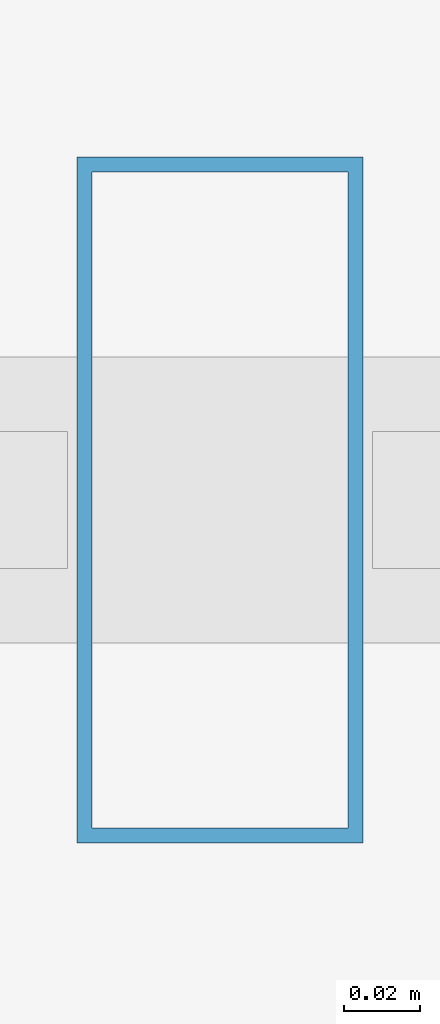
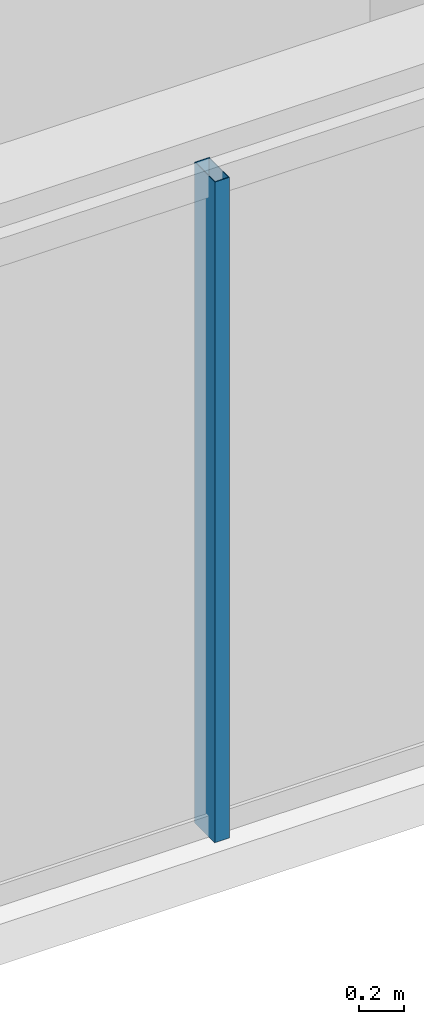
# One storey, part 4 of 33: 1 member, 1 element without a shape of its own.
"""IFC4 building model written with IfcOpenShell, lengths in metres."""

from ifc_helpers import new_model, si_unit, direction, frame, origin, origin_2d, place, context, subcontext, project, spatial, hollow_rectangle, extrude, material, layer, layer_set, material_profile, profile_set, type_object, element, aggregate, save


model = new_model("IFC4")

# Units and contexts
model_context = context("Model", 3, precision=1e-05, world=origin(), true_north=direction((0.0, 1.0)))
body_context = subcontext(model_context, "Body", "Model", "MODEL_VIEW")
ifc_project = project(units=[si_unit("LENGTHUNIT", "METRE"), si_unit("AREAUNIT", "SQUARE_METRE"), si_unit("VOLUMEUNIT", "CUBIC_METRE"), si_unit("PLANEANGLEUNIT", "RADIAN"), si_unit("MASSUNIT", "GRAM", prefix="KILO")], contexts=[model_context])

# Site, building, storey
site_placement = place(None, origin())
site = spatial("IfcSite", under=ifc_project, at=site_placement, CompositionType="ELEMENT")
building_placement = place(site_placement, origin())
building = spatial("IfcBuilding", under=site, at=building_placement, Name="Ndaravel Arena Tower", CompositionType="ELEMENT")
storey_placement = place(building_placement, frame((0.0, 0.0, 165.0)))
storey = spatial("IfcBuildingStorey", under=building, at=storey_placement, Name="L39", CompositionType="ELEMENT", Elevation=165.0)

# Curtain wall, member
ifc_material_1 = material(Name="Aluminium", Category="aluminium")
ifc_layer = layer(ifc_material_1, 0.179931640625)
ifc_layer_set = layer_set([ifc_layer], Name="Aluminium")
curtain_wall_type = type_object("IfcCurtainWallType", Name="CW-SYS-03", PredefinedType="NOTDEFINED", material=ifc_layer_set)
curtain_wall_placement = place(storey_placement, origin())
curtain_wall = element("IfcCurtainWall", 1, at=curtain_wall_placement, inside=storey, type_object=curtain_wall_type, Name="L39 Faceted Crystal Curtain Wall CW-L39-E01", PredefinedType="NOTDEFINED")
ifc_material_2 = material(Name="Aluminium", Category="aluminium")
ifc_material_profile = material_profile(ifc_material_2, hollow_rectangle(XDim=0.074951171875, YDim=0.179931640625, WallThickness=0.00390625, at=origin_2d()), Name="CW MULLION 75x180x4")
ifc_profile_set = profile_set([ifc_material_profile], Name="Aluminium")
member_type = type_object("IfcMemberType", Name="MEM-CW-MUL180", PredefinedType="MULLION", material=ifc_profile_set)
member_placement = place(storey_placement, frame((32.8046875, 5.159912109375, 0.0), z_axis=(0.0, 0.0, 1.0), x_axis=(1.0, 0.0, 0.0)))
member = element("IfcMember", 2, at=member_placement, type_object=member_type, Name="CW-L39-E01 Mullion 02", PredefinedType="MULLION", context=body_context, shape_type="SweptSolid", body=[
    extrude(hollow_rectangle(XDim=0.074951171875, YDim=0.179931640625, WallThickness=0.00390625, at=origin_2d()), origin(), (0.0, 0.0, 1.0), 3.580078125),
])
aggregate(curtain_wall, [member])

save(model, "model.ifc")
